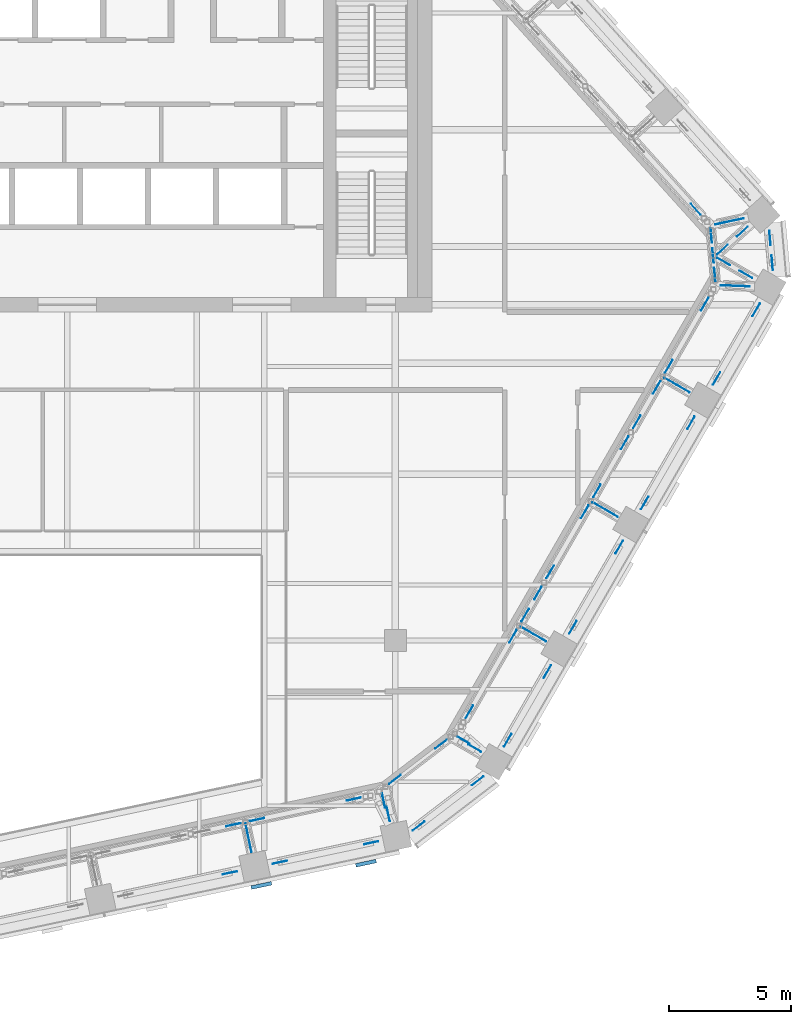
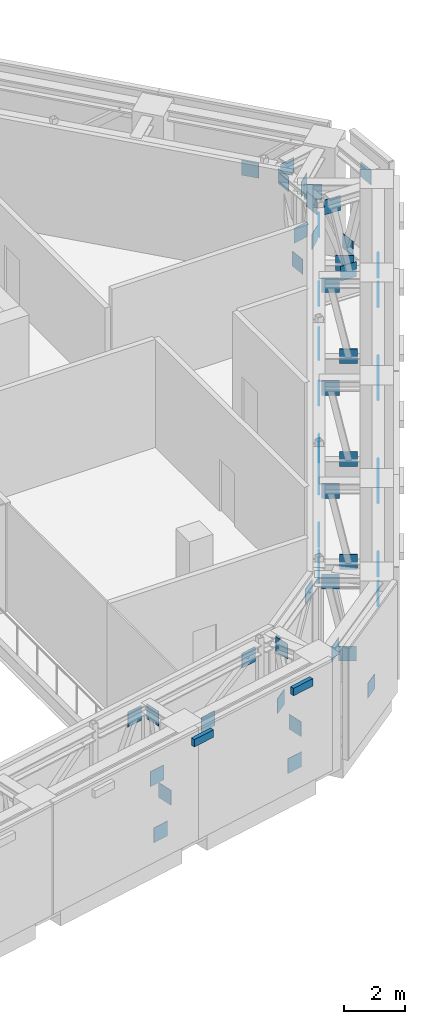
# One storey, part 21 of 25: 58 discrete accessories.
"""IFC4 building model written with IfcOpenShell, lengths in metres."""

from ifc_helpers import new_model, si_unit, direction, frame, origin, origin_2d, place, context, subcontext, project, spatial, rectangle, extrude, material, type_object, element, save


model = new_model("IFC4")

# Units and contexts
model_context = context("Model", 3, precision=1e-05, world=origin(), true_north=direction((0.0, 1.0)))
body_context = subcontext(model_context, "Body", "Model", "MODEL_VIEW")
ifc_project = project(units=[si_unit("LENGTHUNIT", "METRE"), si_unit("AREAUNIT", "SQUARE_METRE"), si_unit("VOLUMEUNIT", "CUBIC_METRE"), si_unit("PLANEANGLEUNIT", "RADIAN"), si_unit("MASSUNIT", "GRAM", prefix="KILO")], contexts=[model_context])

# Site, building, storey
site_placement = place(None, origin())
site = spatial("IfcSite", under=ifc_project, at=site_placement, CompositionType="ELEMENT")
building_placement = place(site_placement, origin())
building = spatial("IfcBuilding", under=site, at=building_placement, Name="Isthmus Gate Tower", CompositionType="ELEMENT")
storey_placement = place(building_placement, frame((0.0, 0.0, 256.449951171875)))
storey = spatial("IfcBuildingStorey", under=building, at=storey_placement, Name="L65", CompositionType="ELEMENT", Elevation=256.449951171875)

# Discrete accessories
ifc_material_1 = material(Name="Structural steel ASTM A572 Gr 50, white paint system", Category="steel")
discrete_accessory_type_1 = type_object("IfcDiscreteAccessoryType", Name="FIN BRACKET 855 X 150 X 300", PredefinedType="BRACKET", material=ifc_material_1)
for number, where, z_axis, x_axis, name in (
    (1, (7.987060546875, -23.58349609375, 3.9501953125), (0.0, 0.0, 1.0), (0.207911690818, -0.978147600734, 0.0), "FIN BRACKET"),
    (2, (12.291015625, -22.668701171875, 3.9501953125), (0.0, 0.0, 1.0), (0.207911690818, -0.978147600734, 0.0), "FIN BRACKET"),
):
    element("IfcDiscreteAccessory", number, at=place(storey_placement, frame(where, z_axis=z_axis, x_axis=x_axis)), inside=storey, type_object=discrete_accessory_type_1, Name=name, PredefinedType="BRACKET", context=body_context, shape_type="SweptSolid", body=[
        extrude(rectangle(XDim=0.14990234375, YDim=0.854736328125, at=origin_2d()), origin(), (0.0, 0.0, 1.0), 0.300048828125),
    ])
ifc_material_2 = material(Name="Structural steel ASTM A992 Gr 50", Category="steel")
discrete_accessory_type_2 = type_object("IfcDiscreteAccessoryType", Name="GUSSET PLATE 600 X 20", PredefinedType="USERDEFINED", material=ifc_material_2)
for number, where, z_axis, x_axis, name in (
    (3, (28.91015625, 3.054931640625, 0.14453125), (0.0, 0.0, 1.0), (0.089396669717, -0.995996102123, 0.0), "GUSSET PLATE"),
    (4, (29.002197265625, 2.03125, 3.60546875), (0.0, 0.0, 1.0), (0.089396669717, -0.995996102123, 0.0), "GUSSET PLATE"),
    (5, (28.34326171875, 0.092041015625, 0.14453125), (0.0, 0.0, 1.0), (-0.5, -0.866025403784, 0.0), "GUSSET PLATE"),
    (6, (26.712890625, -2.731689453125, 3.60546875), (0.0, 0.0, 1.0), (-0.5, -0.866025403784, 0.0), "GUSSET PLATE"),
    (7, (25.662841796875, -4.550537109375, 0.14453125), (0.0, 0.0, 1.0), (-0.5, -0.866025403784, 0.0), "GUSSET PLATE"),
    (8, (23.757568359375, -7.8505859375, 3.60546875), (0.0, 0.0, 1.0), (-0.5, -0.866025403784, 0.0), "GUSSET PLATE"),
    (9, (22.707763671875, -9.669189453125, 0.14453125), (0.0, 0.0, 1.0), (-0.5, -0.866025403784, 0.0), "GUSSET PLATE"),
    (10, (20.802490234375, -12.96923828125, 3.60546875), (0.0, 0.0, 1.0), (-0.5, -0.866025403784, 0.0), "GUSSET PLATE"),
    (11, (19.75244140625, -14.787841796875, 0.14453125), (0.0, 0.0, 1.0), (-0.5, -0.866025403784, 0.0), "GUSSET PLATE"),
    (12, (18.1220703125, -17.611572265625, 3.60546875), (0.0, 0.0, 1.0), (-0.5, -0.866025403784, 0.0), "GUSSET PLATE"),
    (13, (16.88916015625, -19.2802734375, 0.14453125), (0.0, 0.0, 1.0), (-0.794188594387, -0.607671355706, 0.0), "GUSSET PLATE"),
    (14, (14.456298828125, -21.141845703125, 3.60546875), (0.0, 0.0, 1.0), (-0.794188594387, -0.607671355706, 0.0), "GUSSET PLATE"),
    (15, (12.505126953125, -21.830810546875, 0.14453125), (0.0, 0.0, 1.0), (-0.978147600734, -0.207911690818, 0.0), "GUSSET PLATE"),
    (16, (8.747314453125, -22.629638671875, 3.60546875), (0.0, 0.0, 1.0), (-0.978147600734, -0.207911690818, 0.0), "GUSSET PLATE"),
    (17, (6.693115234375, -23.066162109375, 0.14453125), (0.0, 0.0, 1.0), (-0.978147600734, -0.207911690818, 0.0), "GUSSET PLATE"),
    (18, (7.52197265625, -21.91552734375, 0.68115234375), (0.0, 0.0, 1.0), (-0.207911690818, 0.978147600734, 0.0), "GUSSET PLATE"),
    (19, (7.397216796875, -21.32861328125, 3.543701171875), (0.0, 0.0, 1.0), (-0.207911690818, 0.978147600734, 0.0), "GUSSET PLATE"),
    (20, (13.20751953125, -20.648193359375, 0.68115234375), (0.0, 0.0, 1.0), (-0.207911690818, 0.978147600734, 0.0), "GUSSET PLATE"),
    (21, (13.015625, -20.095458984375, 3.543701171875), (0.0, 0.0, 1.0), (-0.207911690818, 0.978147600734, 0.0), "GUSSET PLATE"),
    (22, (16.764404296875, -17.935791015625, 0.68115234375), (0.0, 0.0, 1.0), (-0.866025403784, 0.5, 0.0), "GUSSET PLATE"),
    (23, (16.302978515625, -17.610107421875, 3.543701171875), (0.0, 0.0, 1.0), (-0.866025403784, 0.5, 0.0), "GUSSET PLATE"),
    (24, (19.43310546875, -13.39111328125, 0.68115234375), (0.0, 0.0, 1.0), (-0.866025403784, 0.5, 0.0), "GUSSET PLATE"),
    (25, (18.913330078125, -13.091064453125, 3.543701171875), (0.0, 0.0, 1.0), (-0.866025403784, 0.5, 0.0), "GUSSET PLATE"),
    (26, (22.38818359375, -8.2724609375, 0.68115234375), (0.0, 0.0, 1.0), (-0.866025403784, 0.5, 0.0), "GUSSET PLATE"),
    (27, (21.86865234375, -7.972412109375, 3.543701171875), (0.0, 0.0, 1.0), (-0.866025403784, 0.5, 0.0), "GUSSET PLATE"),
    (28, (25.343505859375, -3.153564453125, 0.68115234375), (0.0, 0.0, 1.0), (-0.866025403784, 0.5, 0.0), "GUSSET PLATE"),
    (29, (24.823974609375, -2.853515625, 3.543701171875), (0.0, 0.0, 1.0), (-0.866025403784, 0.5, 0.0), "GUSSET PLATE"),
    (30, (27.91552734375, 1.55126953125, 0.68115234375), (0.0, 0.0, 1.0), (-0.866025403784, 0.5, 0.0), "GUSSET PLATE"),
    (31, (27.00341796875, 2.077880859375, 3.543701171875), (0.0, 0.0, 1.0), (-0.866025403784, 0.5, 0.0), "GUSSET PLATE"),
    (32, (27.77294921875, 3.309326171875, 0.68115234375), (0.0, 0.0, 1.0), (-0.743144825477, -0.669130606359, 0.0), "GUSSET PLATE"),
    (33, (26.950439453125, 2.568603515625, 3.543701171875), (0.0, 0.0, 1.0), (-0.743144825477, -0.669130606359, 0.0), "GUSSET PLATE"),
    (34, (27.531005859375, 3.792724609375, 0.68115234375), (0.0, 0.0, 1.0), (-0.977772523239, -0.209668530778, 0.0), "GUSSET PLATE"),
    (35, (26.9443359375, 3.666748046875, 3.543701171875), (0.0, 0.0, 1.0), (-0.977772523239, -0.209668530778, 0.0), "GUSSET PLATE"),
    (36, (27.77734375, 1.0673828125, 0.68115234375), (0.0, 0.0, 1.0), (-0.999227966336, 0.039287037202, 0.0), "GUSSET PLATE"),
    (37, (27.177734375, 1.091064453125, 3.543701171875), (0.0, 0.0, 1.0), (-0.999227966336, 0.039287037202, 0.0), "GUSSET PLATE"),
    (38, (25.857421875, 4.231689453125, 3.543701171875), (0.0, 0.0, 1.0), (0.669130606359, -0.743144825477, 0.0), "GUSSET PLATE"),
    (39, (26.570068359375, 2.332275390625, 0.68115234375), (0.0, 0.0, 1.0), (-0.089396669717, 0.995996102123, 0.0), "GUSSET PLATE"),
    (40, (26.4970703125, 3.14453125, 3.543701171875), (0.0, 0.0, 1.0), (-0.089396669717, 0.995996102123, 0.0), "GUSSET PLATE"),
    (41, (26.64306640625, 1.520263671875, 3.543701171875), (0.0, 0.0, 1.0), (0.089396669717, -0.995996102123, 0.0), "GUSSET PLATE"),
    (42, (24.749267578125, -2.233154296875, 0.68115234375), (0.0, 0.0, 1.0), (0.5, 0.866025403784, 0.0), "GUSSET PLATE"),
    (43, (26.229736328125, 0.331298828125, 3.543701171875), (0.0, 0.0, 1.0), (0.5, 0.866025403784, 0.0), "GUSSET PLATE"),
    (44, (23.433837890625, -4.51171875, 0.68115234375), (0.0, 0.0, 1.0), (0.5, 0.866025403784, 0.0), "GUSSET PLATE"),
    (45, (24.249267578125, -3.09912109375, 3.543701171875), (0.0, 0.0, 1.0), (0.5, 0.866025403784, 0.0), "GUSSET PLATE"),
    (46, (21.793701171875, -7.35205078125, 0.68115234375), (0.0, 0.0, 1.0), (0.5, 0.866025403784, 0.0), "GUSSET PLATE"),
    (47, (22.933837890625, -5.377685546875, 3.543701171875), (0.0, 0.0, 1.0), (0.5, 0.866025403784, 0.0), "GUSSET PLATE"),
    (48, (21.293701171875, -8.21826171875, 0.68115234375), (0.0, 0.0, 1.0), (-0.5, -0.866025403784, 0.0), "GUSSET PLATE"),
    (49, (19.8662109375, -10.690673828125, 3.543701171875), (0.0, 0.0, 1.0), (-0.5, -0.866025403784, 0.0), "GUSSET PLATE"),
    (50, (19.3662109375, -11.556640625, 0.68115234375), (0.0, 0.0, 1.0), (-0.5, -0.866025403784, 0.0), "GUSSET PLATE"),
    (51, (18.838623046875, -12.470458984375, 3.543701171875), (0.0, 0.0, 1.0), (-0.5, -0.866025403784, 0.0), "GUSSET PLATE"),
    (52, (18.338623046875, -13.33642578125, 0.68115234375), (0.0, 0.0, 1.0), (-0.5, -0.866025403784, 0.0), "GUSSET PLATE"),
    (53, (16.544189453125, -16.444580078125, 3.543701171875), (0.0, 0.0, 1.0), (-0.5, -0.866025403784, 0.0), "GUSSET PLATE"),
    (54, (13.485107421875, -19.220458984375, 0.68115234375), (0.0, 0.0, 1.0), (0.794188594387, 0.607671355706, 0.0), "GUSSET PLATE"),
    (55, (15.377685546875, -17.7724609375, 3.543701171875), (0.0, 0.0, 1.0), (0.794188594387, 0.607671355706, 0.0), "GUSSET PLATE"),
    (56, (7.8125, -20.87939453125, 0.68115234375), (0.0, 0.0, 1.0), (0.978147600734, 0.207911690818, 0.0), "GUSSET PLATE"),
    (57, (11.784912109375, -20.034912109375, 3.543701171875), (0.0, 0.0, 1.0), (0.978147600734, 0.207911690818, 0.0), "GUSSET PLATE"),
    (58, (6.83447265625, -21.087158203125, 3.543701171875), (0.0, 0.0, 1.0), (0.978147600734, 0.207911690818, 0.0), "GUSSET PLATE"),
):
    element("IfcDiscreteAccessory", number, at=place(storey_placement, frame(where, z_axis=z_axis, x_axis=x_axis)), inside=storey, type_object=discrete_accessory_type_2, Name=name, ObjectType="GUSSET PLATE", PredefinedType="USERDEFINED", context=body_context, shape_type="SweptSolid", body=[
        extrude(rectangle(XDim=0.60009765625, YDim=0.02001953125, at=origin_2d()), origin(), (0.0, 0.0, 1.0), 0.60009765625),
    ])

save(model, "model.ifc")
